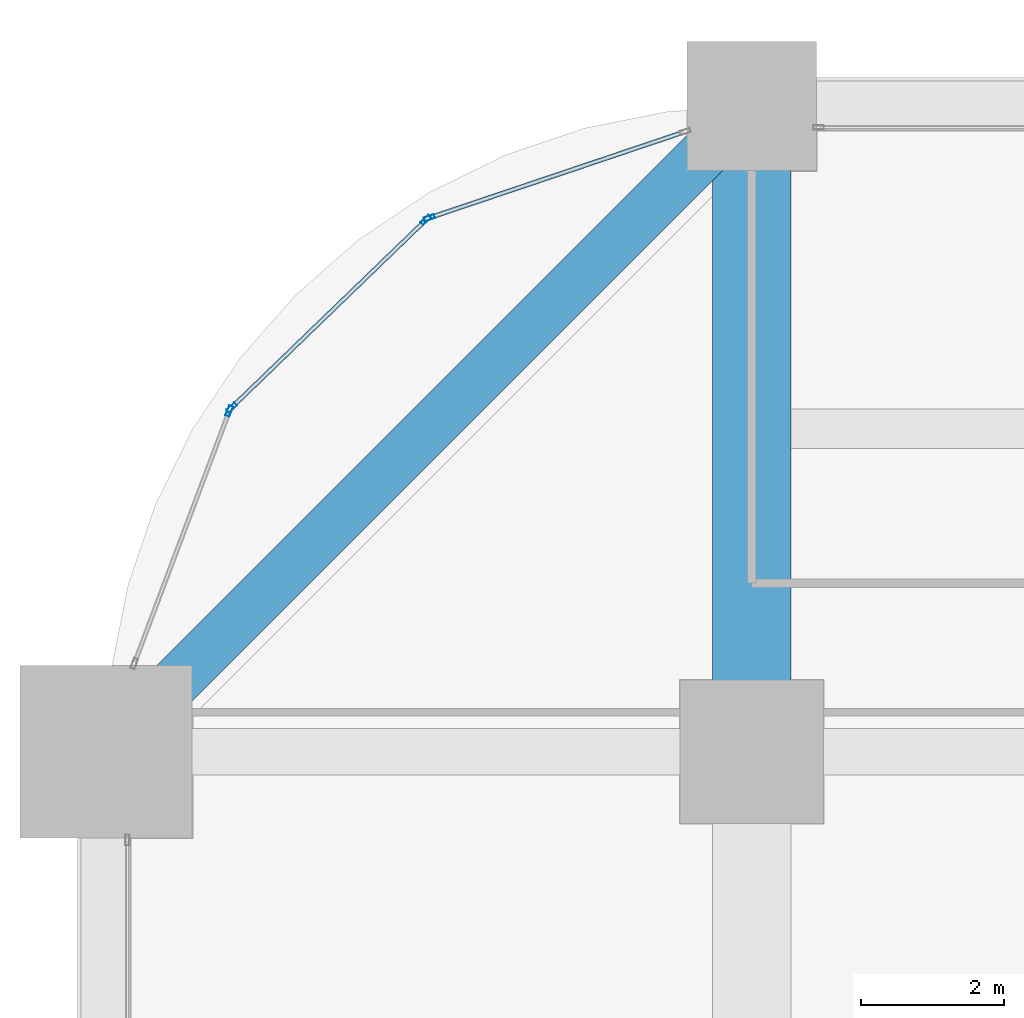
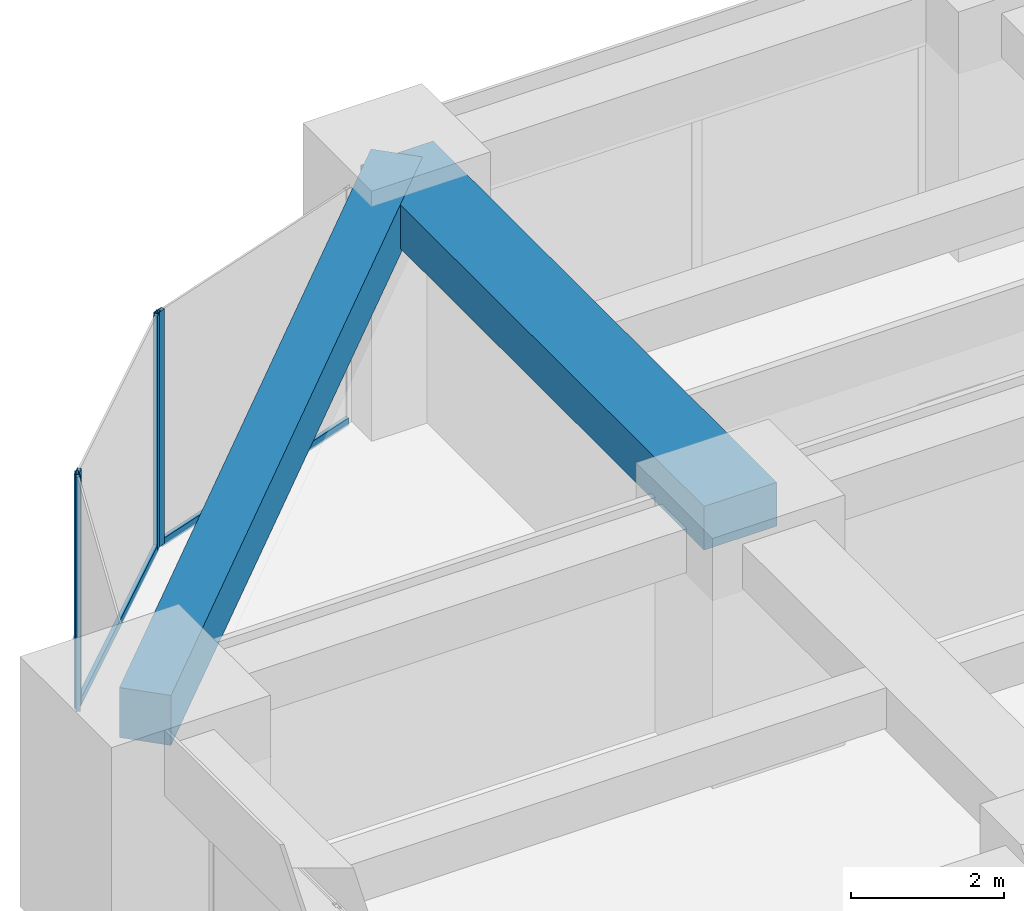
# One storey, part 26 of 41: 6 members, 2 beams, 3 elements without a shape of their own.
"""IFC4 building model written with IfcOpenShell, lengths in metres."""

from ifc_helpers import new_model, si_unit, direction, frame, origin, origin_2d, place, context, subcontext, project, spatial, rectangle, hollow_rectangle, extrude, material, material_profile, profile_set, type_object, element, aggregate, save


model = new_model("IFC4")

# Units and contexts
model_context = context("Model", 3, precision=1e-05, world=origin(), true_north=direction((0.0, 1.0)))
body_context = subcontext(model_context, "Body", "Model", "MODEL_VIEW")
ifc_project = project(units=[si_unit("LENGTHUNIT", "METRE"), si_unit("AREAUNIT", "SQUARE_METRE"), si_unit("VOLUMEUNIT", "CUBIC_METRE"), si_unit("PLANEANGLEUNIT", "RADIAN"), si_unit("MASSUNIT", "GRAM", prefix="KILO")], contexts=[model_context])

# Site, building, storey
site_placement = place(None, origin())
site = spatial("IfcSite", under=ifc_project, at=site_placement, CompositionType="ELEMENT")
building_placement = place(site_placement, origin())
building = spatial("IfcBuilding", under=site, at=building_placement, Name="Zorevar Civic Tower", CompositionType="ELEMENT")
storey_placement = place(building_placement, frame((0.0, 0.0, 105.0)))
storey = spatial("IfcBuildingStorey", under=building, at=storey_placement, Name="L25", CompositionType="ELEMENT", Elevation=105.0)

# Beam
ifc_material_1 = material(Name="Concrete C50/60", Category="concrete")
ifc_material_profile_1 = material_profile(ifc_material_1, rectangle(XDim=1.10009765625, YDim=0.699951171875, at=origin_2d()), Name="RC 1100x700")
ifc_profile_set_1 = profile_set([ifc_material_profile_1], Name="Concrete C50/60")
beam_type_1 = type_object("IfcBeamType", Name="Beam RC 1100x700", PredefinedType="BEAM", material=ifc_profile_set_1)
beam_1_placement = place(storey_placement, frame((9.0, 36.0, 3.39990234375), z_axis=(0.0, 1.0, 0.0), x_axis=(-1.0, 0.0, 0.0)))
element("IfcBeam", 1, at=beam_1_placement, inside=storey, type_object=beam_type_1, Name="Girder L26", PredefinedType="BEAM", context=body_context, shape_type="SweptSolid", body=[
    extrude(rectangle(XDim=1.10009765625, YDim=0.699951171875, at=origin_2d()), origin(), (0.0, 0.0, 1.0), 9.0),
])

# Curtain wall, member
ifc_material_2 = material(Name="Dark grey solar-control glass in black aluminium frame", Category="aluminium")
curtain_wall_type = type_object("IfcCurtainWallType", Name="Curtain wall CW3 mid zone", PredefinedType="NOTDEFINED", material=ifc_material_2)
curtain_wall_1_placement = place(storey_placement, origin())
curtain_wall_1 = element("IfcCurtainWall", 2, at=curtain_wall_1_placement, inside=storey, type_object=curtain_wall_type, Name="CW3 L25", PredefinedType="NOTDEFINED")
ifc_material_3 = material(Name="Aluminium, black anodised", Category="aluminium")
ifc_material_profile_2 = material_profile(ifc_material_3, hollow_rectangle(XDim=0.06005859375, YDim=0.14990234375, WallThickness=0.00390625, at=origin_2d()), Name="AL 150x60x4")
ifc_profile_set_2 = profile_set([ifc_material_profile_2], Name="Aluminium, black anodised")
member_type_1 = type_object("IfcMemberType", Name="CW3 mullion AL 150x60x4", PredefinedType="MULLION", material=ifc_profile_set_2)
member_1_placement = place(storey_placement, frame((4.506591796875, 43.442138671875, 0.0), z_axis=(0.0, 0.0, 1.0), x_axis=(0.319412525043, -0.947615765406, 0.0)))
member_1 = element("IfcMember", 3, at=member_1_placement, type_object=member_type_1, Name="CW3 mullion 2", PredefinedType="MULLION", context=body_context, shape_type="SweptSolid", body=[
    extrude(hollow_rectangle(XDim=0.06005859375, YDim=0.14990234375, WallThickness=0.00390625, at=origin_2d()), origin(), (0.0, 0.0, 1.0), 3.75),
])

# Curtain wall, members
curtain_wall_2_placement = place(storey_placement, origin())
curtain_wall_2 = element("IfcCurtainWall", 4, at=curtain_wall_2_placement, inside=storey, type_object=curtain_wall_type, Name="CW3 L25", PredefinedType="NOTDEFINED")
member_2_placement = place(storey_placement, frame((4.45654296875, 43.41162109375, 0.0), z_axis=(0.0, 0.0, 1.0), x_axis=(0.694719089155, -0.719281160023, 0.0)))
member_2 = element("IfcMember", 5, at=member_2_placement, type_object=member_type_1, Name="CW3 mullion 1", PredefinedType="MULLION", context=body_context, shape_type="SweptSolid", body=[
    extrude(hollow_rectangle(XDim=0.06005859375, YDim=0.14990234375, WallThickness=0.00390625, at=origin_2d()), origin(), (0.0, 0.0, 1.0), 3.75),
])
member_3_placement = place(storey_placement, frame((1.750732421875, 40.798095703125, 0.0), z_axis=(0.0, 0.0, 1.0), x_axis=(0.694719089155, -0.719281160023, 0.0)))
member_3 = element("IfcMember", 6, at=member_3_placement, type_object=member_type_1, Name="CW3 mullion 2", PredefinedType="MULLION", context=body_context, shape_type="SweptSolid", body=[
    extrude(hollow_rectangle(XDim=0.06005859375, YDim=0.14990234375, WallThickness=0.00390625, at=origin_2d()), origin(), (0.0, 0.0, 1.0), 3.75),
])

# Curtain wall, member
curtain_wall_3_placement = place(storey_placement, origin())
curtain_wall_3 = element("IfcCurtainWall", 7, at=curtain_wall_3_placement, inside=storey, type_object=curtain_wall_type, Name="CW3 L25", PredefinedType="NOTDEFINED")
member_4_placement = place(storey_placement, frame((1.718505859375, 40.749267578125, 0.0), z_axis=(0.0, 0.0, 1.0), x_axis=(0.935950528564, -0.352131520999, 0.0)))
member_4 = element("IfcMember", 8, at=member_4_placement, type_object=member_type_1, Name="CW3 mullion 1", PredefinedType="MULLION", context=body_context, shape_type="SweptSolid", body=[
    extrude(hollow_rectangle(XDim=0.06005859375, YDim=0.14990234375, WallThickness=0.00390625, at=origin_2d()), origin(), (0.0, 0.0, 1.0), 3.75),
])
aggregate(curtain_wall_3, [member_4])

# Member
ifc_material_4 = material(Name="Aluminium, black anodised", Category="aluminium")
ifc_material_profile_3 = material_profile(ifc_material_4, hollow_rectangle(XDim=0.06005859375, YDim=0.1201171875, WallThickness=0.0029296875, at=origin_2d()), Name="AL 120x60x3")
ifc_profile_set_3 = profile_set([ifc_material_profile_3], Name="Aluminium, black anodised")
member_type_2 = type_object("IfcMemberType", Name="CW3 transom AL 120x60x3", PredefinedType="USERDEFINED", material=ifc_profile_set_3)
member_5_placement = place(storey_placement, frame((8.043212890625, 44.634033203125, 0.030029296875), z_axis=(-0.9476295577, -0.319371603893, 0.0), x_axis=(0.319371603893, -0.9476295577, 0.0)))
member_5 = element("IfcMember", 9, at=member_5_placement, type_object=member_type_2, Name="CW3 sill transom", ObjectType="TRANSOM", PredefinedType="USERDEFINED", context=body_context, shape_type="SweptSolid", body=[
    extrude(hollow_rectangle(XDim=0.06005859375, YDim=0.1201171875, WallThickness=0.0029296875, at=origin_2d()), origin(), (0.0, 0.0, 1.0), 3.7021484375),
])

aggregate(curtain_wall_1, [member_1, member_5])

member_6_placement = place(storey_placement, frame((4.43505859375, 43.390869140625, 0.030029296875), z_axis=(-0.719266228526, -0.694734548228, 0.0), x_axis=(0.694734548228, -0.719266228526, 0.0)))
member_6 = element("IfcMember", 10, at=member_6_placement, type_object=member_type_2, Name="CW3 sill transom", ObjectType="TRANSOM", PredefinedType="USERDEFINED", context=body_context, shape_type="SweptSolid", body=[
    extrude(hollow_rectangle(XDim=0.06005859375, YDim=0.1201171875, WallThickness=0.0029296875, at=origin_2d()), origin(), (0.0, 0.0, 1.0), 3.7021484375),
])

aggregate(curtain_wall_2, [member_2, member_3, member_6])

# Beam
ifc_material_5 = material(Name="Concrete C50/60", Category="concrete")
ifc_material_profile_4 = material_profile(ifc_material_5, rectangle(XDim=0.699951171875, YDim=0.800048828125, at=origin_2d()), Name="RC 700x800")
ifc_profile_set_4 = profile_set([ifc_material_profile_4], Name="Concrete C50/60")
beam_type_2 = type_object("IfcBeamType", Name="Edge beam RC 700x800", PredefinedType="SPANDREL", material=ifc_profile_set_4)
beam_2_placement = place(storey_placement, frame((9.0, 45.0, 3.35009765625), z_axis=(-0.707106781187, -0.707106781187, 0.0), x_axis=(0.707106781187, -0.707106781187, 0.0)))
element("IfcBeam", 11, at=beam_2_placement, inside=storey, type_object=beam_type_2, Name="Corner edge beam L26", PredefinedType="SPANDREL", context=body_context, shape_type="SweptSolid", body=[
    extrude(rectangle(XDim=0.699951171875, YDim=0.800048828125, at=origin_2d()), origin(), (0.0, 0.0, 1.0), 12.72802734375),
])

save(model, "model.ifc")
